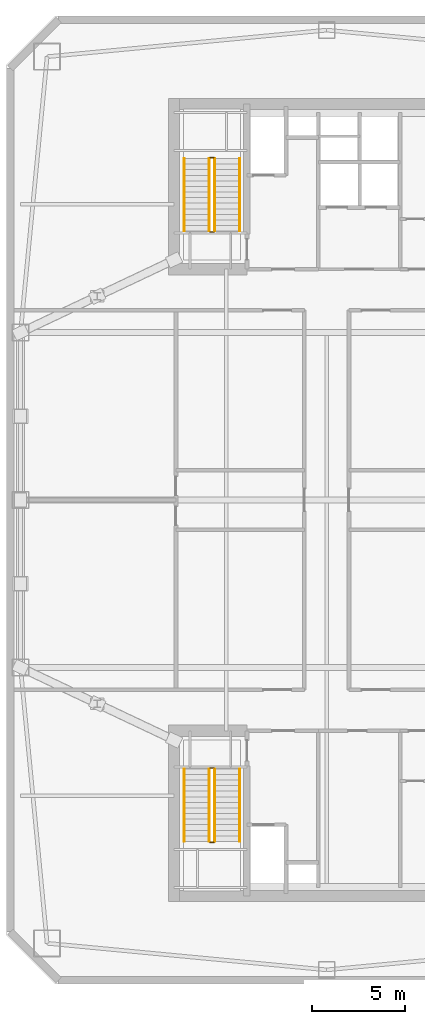
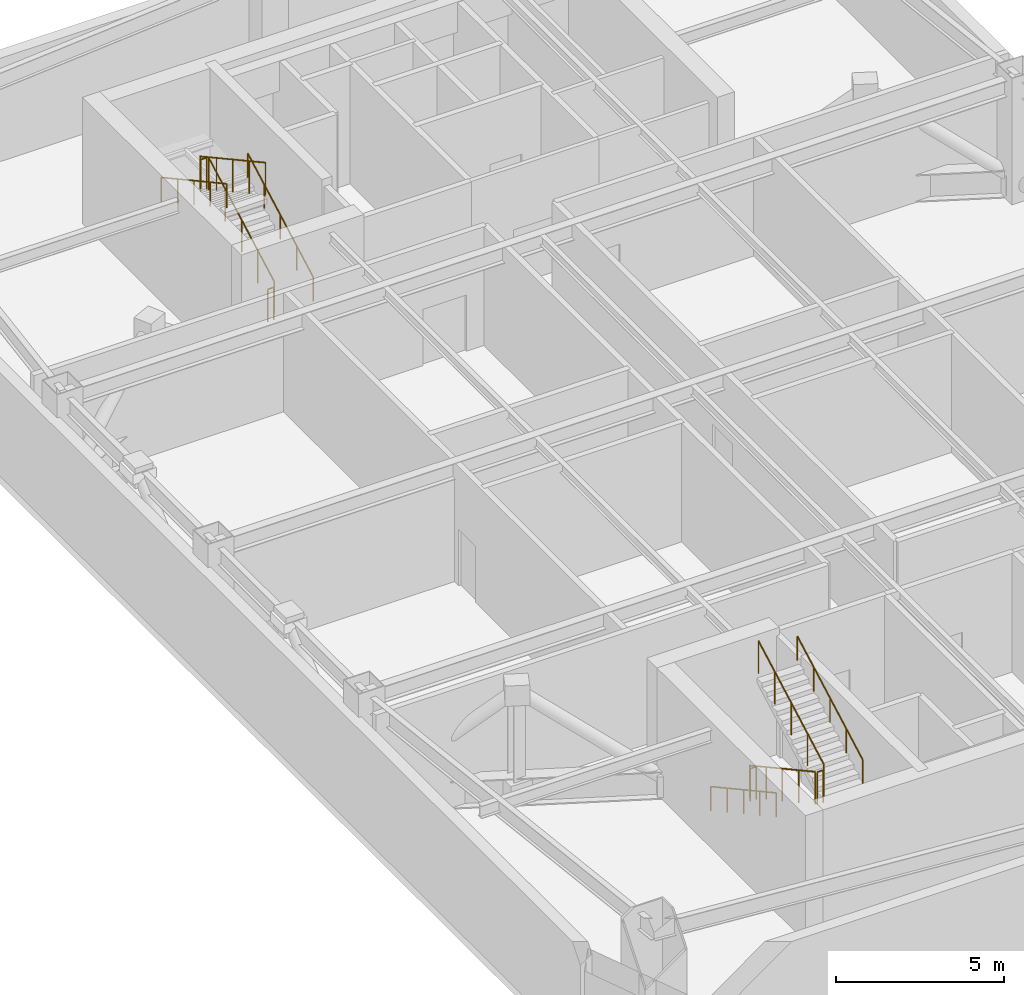
# One storey, part 16 of 17: 12 railings.
"""IFC4 building model written with IfcOpenShell, lengths in metres."""

from ifc_helpers import new_model, si_unit, direction, frame, origin, origin_2d, place, context, subcontext, project, spatial, circle, extrude, material, type_object, element, save


model = new_model("IFC4")

# Units and contexts
model_context = context("Model", 3, precision=1e-05, world=origin(), true_north=direction((0.0, 1.0)))
body_context = subcontext(model_context, "Body", "Model", "MODEL_VIEW")
ifc_project = project(units=[si_unit("LENGTHUNIT", "METRE"), si_unit("AREAUNIT", "SQUARE_METRE"), si_unit("VOLUMEUNIT", "CUBIC_METRE"), si_unit("PLANEANGLEUNIT", "RADIAN"), si_unit("MASSUNIT", "GRAM", prefix="KILO")], contexts=[model_context])

# Site, building, storey
site_placement = place(None, origin())
site = spatial("IfcSite", under=ifc_project, at=site_placement, CompositionType="ELEMENT")
building_placement = place(site_placement, origin())
building = spatial("IfcBuilding", under=site, at=building_placement, Name="Qiaolan Cultural Towers", CompositionType="ELEMENT")
storey_placement = place(building_placement, frame((0.0, 0.0, 184.0)))
storey = spatial("IfcBuildingStorey", under=building, at=storey_placement, Name="L49", CompositionType="ELEMENT", Elevation=184.0)

# Railings
ifc_material_1 = material(Name="Galvanized Painted Steel Stair Guardrail", Category="steel")
railing_type_1 = type_object("IfcRailingType", Name="RL-STAIR-GRD", PredefinedType="GUARDRAIL", material=ifc_material_1)
railing_1_placement = place(storey_placement, frame((23.68994140625, 19.550048828125, 0.164306640625)))
element("IfcRailing", 1, at=railing_1_placement, inside=storey, type_object=railing_type_1, Name="L49 ST-W1 stair guard 1", PredefinedType="GUARDRAIL", context=body_context, shape_type="SweptSolid", body=[
    extrude(circle(Radius=0.02392578125, at=origin_2d()), frame((0.0, 0.0, 1.17578125), z_axis=(0.0, -0.877101224295, 0.480305571839), x_axis=(1.0, 0.0, 0.0)), (0.0, 0.0, 1.0), 4.446533203125),
    extrude(circle(Radius=0.02099609375, at=origin_2d()), origin(), (0.0, 0.0, 1.0), 1.15185546875),
    extrude(circle(Radius=0.02099609375, at=origin_2d()), frame((0.0, -0.97509765625, 0.533935546875)), (0.0, 0.0, 1.0), 1.15185546875),
    extrude(circle(Radius=0.02099609375, at=origin_2d()), frame((0.0, -1.9501953125, 1.06787109375)), (0.0, 0.0, 1.0), 1.15185546875),
    extrude(circle(Radius=0.02099609375, at=origin_2d()), frame((0.0, -2.925048828125, 1.601806640625)), (0.0, 0.0, 1.0), 1.15185546875),
    extrude(circle(Radius=0.02099609375, at=origin_2d()), frame((0.0, -3.900146484375, 2.1357421875)), (0.0, 0.0, 1.0), 1.15185546875),
])
railing_2_placement = place(storey_placement, frame((23.739990234375, 15.60009765625, 2.300048828125)))
element("IfcRailing", 2, at=railing_2_placement, inside=storey, type_object=railing_type_1, Name="L49 ST-W1 stair guard 2", PredefinedType="GUARDRAIL", context=body_context, shape_type="SweptSolid", body=[
    extrude(circle(Radius=0.02392578125, at=origin_2d()), frame((0.0, 0.0, 1.17578125), z_axis=(1.0, 0.0, 0.0), x_axis=(0.0, 1.0, 0.0)), (0.0, 0.0, 1.0), 0.199951171875),
    extrude(circle(Radius=0.02099609375, at=origin_2d()), origin(), (0.0, 0.0, 1.0), 1.15185546875),
    extrude(circle(Radius=0.02099609375, at=origin_2d()), frame((0.199951171875, 0.0, 0.0)), (0.0, 0.0, 1.0), 1.15185546875),
])
railing_3_placement = place(storey_placement, frame((23.989990234375, 15.64990234375, 2.46435546875)))
element("IfcRailing", 3, at=railing_3_placement, inside=storey, type_object=railing_type_1, Name="L49 ST-W1 stair guard 3", PredefinedType="GUARDRAIL", context=body_context, shape_type="SweptSolid", body=[
    extrude(circle(Radius=0.02392578125, at=origin_2d()), frame((0.0, 0.0, 1.17578125), z_axis=(0.0, 0.877101224295, 0.480305571839), x_axis=(-1.0, 0.0, 0.0)), (0.0, 0.0, 1.0), 4.446533203125),
    extrude(circle(Radius=0.02099609375, at=origin_2d()), origin(), (0.0, 0.0, 1.0), 1.15185546875),
    extrude(circle(Radius=0.02099609375, at=origin_2d()), frame((0.0, 0.97509765625, 0.533935546875)), (0.0, 0.0, 1.0), 1.15185546875),
    extrude(circle(Radius=0.02099609375, at=origin_2d()), frame((0.0, 1.9501953125, 1.06787109375)), (0.0, 0.0, 1.0), 1.15185546875),
    extrude(circle(Radius=0.02099609375, at=origin_2d()), frame((0.0, 2.925048828125, 1.601806640625)), (0.0, 0.0, 1.0), 1.15185546875),
    extrude(circle(Radius=0.02099609375, at=origin_2d()), frame((0.0, 3.900146484375, 2.1357421875)), (0.0, 0.0, 1.0), 1.15185546875),
])
railing_4_placement = place(storey_placement, frame((23.739990234375, 19.60009765625, 0.0)))
element("IfcRailing", 4, at=railing_4_placement, inside=storey, type_object=railing_type_1, Name="L49 ST-W1 stair guard 4", PredefinedType="GUARDRAIL", context=body_context, shape_type="SweptSolid", body=[
    extrude(circle(Radius=0.02392578125, at=origin_2d()), frame((0.0, 0.0, 1.17578125), z_axis=(1.0, 0.0, 0.0), x_axis=(0.0, 1.0, 0.0)), (0.0, 0.0, 1.0), 0.199951171875),
    extrude(circle(Radius=0.02099609375, at=origin_2d()), origin(), (0.0, 0.0, 1.0), 1.15185546875),
    extrude(circle(Radius=0.02099609375, at=origin_2d()), frame((0.199951171875, 0.0, 0.0)), (0.0, 0.0, 1.0), 1.15185546875),
])
railing_5_placement = place(storey_placement, frame((23.989990234375, 48.449951171875, 0.164306640625)))
element("IfcRailing", 5, at=railing_5_placement, inside=storey, type_object=railing_type_1, Name="L49 ST-W2 stair guard 1", PredefinedType="GUARDRAIL", context=body_context, shape_type="SweptSolid", body=[
    extrude(circle(Radius=0.02392578125, at=origin_2d()), frame((0.0, 0.0, 1.17578125), z_axis=(0.0, 0.877101224295, 0.480305571839), x_axis=(-1.0, 0.0, 0.0)), (0.0, 0.0, 1.0), 4.446533203125),
    extrude(circle(Radius=0.02099609375, at=origin_2d()), origin(), (0.0, 0.0, 1.0), 1.15185546875),
    extrude(circle(Radius=0.02099609375, at=origin_2d()), frame((0.0, 0.97509765625, 0.533935546875)), (0.0, 0.0, 1.0), 1.15185546875),
    extrude(circle(Radius=0.02099609375, at=origin_2d()), frame((0.0, 1.9501953125, 1.06787109375)), (0.0, 0.0, 1.0), 1.15185546875),
    extrude(circle(Radius=0.02099609375, at=origin_2d()), frame((0.0, 2.925048828125, 1.601806640625)), (0.0, 0.0, 1.0), 1.15185546875),
    extrude(circle(Radius=0.02099609375, at=origin_2d()), frame((0.0, 3.900146484375, 2.1357421875)), (0.0, 0.0, 1.0), 1.15185546875),
])
railing_6_placement = place(storey_placement, frame((23.93994140625, 52.39990234375, 2.300048828125)))
element("IfcRailing", 6, at=railing_6_placement, inside=storey, type_object=railing_type_1, Name="L49 ST-W2 stair guard 2", PredefinedType="GUARDRAIL", context=body_context, shape_type="SweptSolid", body=[
    extrude(circle(Radius=0.02392578125, at=origin_2d()), frame((0.0, 0.0, 1.17578125), z_axis=(-1.0, 0.0, 0.0), x_axis=(0.0, -1.0, 0.0)), (0.0, 0.0, 1.0), 0.199951171875),
    extrude(circle(Radius=0.02099609375, at=origin_2d()), origin(), (0.0, 0.0, 1.0), 1.15185546875),
    extrude(circle(Radius=0.02099609375, at=origin_2d()), frame((-0.199951171875, 0.0, 0.0)), (0.0, 0.0, 1.0), 1.15185546875),
])
railing_7_placement = place(storey_placement, frame((23.68994140625, 52.35009765625, 2.46435546875)))
element("IfcRailing", 7, at=railing_7_placement, inside=storey, type_object=railing_type_1, Name="L49 ST-W2 stair guard 3", PredefinedType="GUARDRAIL", context=body_context, shape_type="SweptSolid", body=[
    extrude(circle(Radius=0.02392578125, at=origin_2d()), frame((0.0, 0.0, 1.17578125), z_axis=(0.0, -0.877101224295, 0.480305571839), x_axis=(1.0, 0.0, 0.0)), (0.0, 0.0, 1.0), 4.446533203125),
    extrude(circle(Radius=0.02099609375, at=origin_2d()), origin(), (0.0, 0.0, 1.0), 1.15185546875),
    extrude(circle(Radius=0.02099609375, at=origin_2d()), frame((0.0, -0.97509765625, 0.533935546875)), (0.0, 0.0, 1.0), 1.15185546875),
    extrude(circle(Radius=0.02099609375, at=origin_2d()), frame((0.0, -1.9501953125, 1.06787109375)), (0.0, 0.0, 1.0), 1.15185546875),
    extrude(circle(Radius=0.02099609375, at=origin_2d()), frame((0.0, -2.925048828125, 1.601806640625)), (0.0, 0.0, 1.0), 1.15185546875),
    extrude(circle(Radius=0.02099609375, at=origin_2d()), frame((0.0, -3.900146484375, 2.1357421875)), (0.0, 0.0, 1.0), 1.15185546875),
])
railing_8_placement = place(storey_placement, frame((23.93994140625, 48.39990234375, 0.0)))
element("IfcRailing", 8, at=railing_8_placement, inside=storey, type_object=railing_type_1, Name="L49 ST-W2 stair guard 4", PredefinedType="GUARDRAIL", context=body_context, shape_type="SweptSolid", body=[
    extrude(circle(Radius=0.02392578125, at=origin_2d()), frame((0.0, 0.0, 1.17578125), z_axis=(-1.0, 0.0, 0.0), x_axis=(0.0, -1.0, 0.0)), (0.0, 0.0, 1.0), 0.199951171875),
    extrude(circle(Radius=0.02099609375, at=origin_2d()), origin(), (0.0, 0.0, 1.0), 1.15185546875),
    extrude(circle(Radius=0.02099609375, at=origin_2d()), frame((-0.199951171875, 0.0, 0.0)), (0.0, 0.0, 1.0), 1.15185546875),
])
ifc_material_2 = material(Name="Stainless Steel S30408 Tubular Handrail", Category="steel")
railing_type_2 = type_object("IfcRailingType", Name="RL-STAIR-HR", PredefinedType="HANDRAIL", material=ifc_material_2)
railing_9_placement = place(storey_placement, frame((22.35009765625, 19.550048828125, 0.164306640625)))
element("IfcRailing", 9, at=railing_9_placement, inside=storey, type_object=railing_type_2, Name="L49 ST-W1 stair handrail 1", PredefinedType="HANDRAIL", context=body_context, shape_type="SweptSolid", body=[
    extrude(circle(Radius=0.02392578125, at=origin_2d()), frame((0.0, 0.0, 0.8759765625), z_axis=(0.0, -0.877101224295, 0.480305571839), x_axis=(1.0, 0.0, 0.0)), (0.0, 0.0, 1.0), 4.446533203125),
    extrude(circle(Radius=0.02099609375, at=origin_2d()), origin(), (0.0, 0.0, 1.0), 0.851806640625),
    extrude(circle(Radius=0.02099609375, at=origin_2d()), frame((0.0, -0.97509765625, 0.533935546875)), (0.0, 0.0, 1.0), 0.851806640625),
    extrude(circle(Radius=0.02099609375, at=origin_2d()), frame((0.0, -1.9501953125, 1.06787109375)), (0.0, 0.0, 1.0), 0.851806640625),
    extrude(circle(Radius=0.02099609375, at=origin_2d()), frame((0.0, -2.925048828125, 1.601806640625)), (0.0, 0.0, 1.0), 0.851806640625),
    extrude(circle(Radius=0.02099609375, at=origin_2d()), frame((0.0, -3.900146484375, 2.1357421875)), (0.0, 0.0, 1.0), 0.851806640625),
])
for number, where, name in (
    (10, (25.330078125, 15.64990234375, 2.46435546875), "L49 ST-W1 stair handrail 2"),
    (11, (25.330078125, 48.449951171875, 0.164306640625), "L49 ST-W2 stair handrail 1"),
):
    element("IfcRailing", number, at=place(storey_placement, frame(where)), inside=storey, type_object=railing_type_2, Name=name, PredefinedType="HANDRAIL", context=body_context, shape_type="SweptSolid", body=[
        extrude(circle(Radius=0.02392578125, at=origin_2d()), frame((0.0, 0.0, 0.8759765625), z_axis=(0.0, 0.877101224295, 0.480305571839), x_axis=(-1.0, 0.0, 0.0)), (0.0, 0.0, 1.0), 4.446533203125),
        extrude(circle(Radius=0.02099609375, at=origin_2d()), origin(), (0.0, 0.0, 1.0), 0.851806640625),
        extrude(circle(Radius=0.02099609375, at=origin_2d()), frame((0.0, 0.97509765625, 0.533935546875)), (0.0, 0.0, 1.0), 0.851806640625),
        extrude(circle(Radius=0.02099609375, at=origin_2d()), frame((0.0, 1.9501953125, 1.06787109375)), (0.0, 0.0, 1.0), 0.851806640625),
        extrude(circle(Radius=0.02099609375, at=origin_2d()), frame((0.0, 2.925048828125, 1.601806640625)), (0.0, 0.0, 1.0), 0.851806640625),
        extrude(circle(Radius=0.02099609375, at=origin_2d()), frame((0.0, 3.900146484375, 2.1357421875)), (0.0, 0.0, 1.0), 0.851806640625),
    ])
railing_10_placement = place(storey_placement, frame((22.35009765625, 52.35009765625, 2.46435546875)))
element("IfcRailing", 12, at=railing_10_placement, inside=storey, type_object=railing_type_2, Name="L49 ST-W2 stair handrail 2", PredefinedType="HANDRAIL", context=body_context, shape_type="SweptSolid", body=[
    extrude(circle(Radius=0.02392578125, at=origin_2d()), frame((0.0, 0.0, 0.8759765625), z_axis=(0.0, -0.877101224295, 0.480305571839), x_axis=(1.0, 0.0, 0.0)), (0.0, 0.0, 1.0), 4.446533203125),
    extrude(circle(Radius=0.02099609375, at=origin_2d()), origin(), (0.0, 0.0, 1.0), 0.851806640625),
    extrude(circle(Radius=0.02099609375, at=origin_2d()), frame((0.0, -0.97509765625, 0.533935546875)), (0.0, 0.0, 1.0), 0.851806640625),
    extrude(circle(Radius=0.02099609375, at=origin_2d()), frame((0.0, -1.9501953125, 1.06787109375)), (0.0, 0.0, 1.0), 0.851806640625),
    extrude(circle(Radius=0.02099609375, at=origin_2d()), frame((0.0, -2.925048828125, 1.601806640625)), (0.0, 0.0, 1.0), 0.851806640625),
    extrude(circle(Radius=0.02099609375, at=origin_2d()), frame((0.0, -3.900146484375, 2.1357421875)), (0.0, 0.0, 1.0), 0.851806640625),
])

save(model, "model.ifc")
